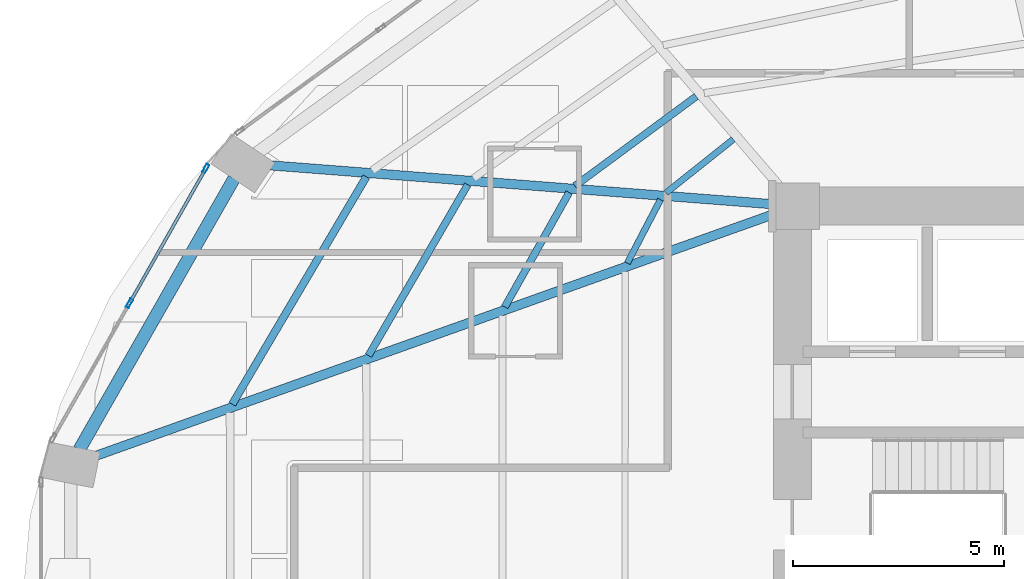
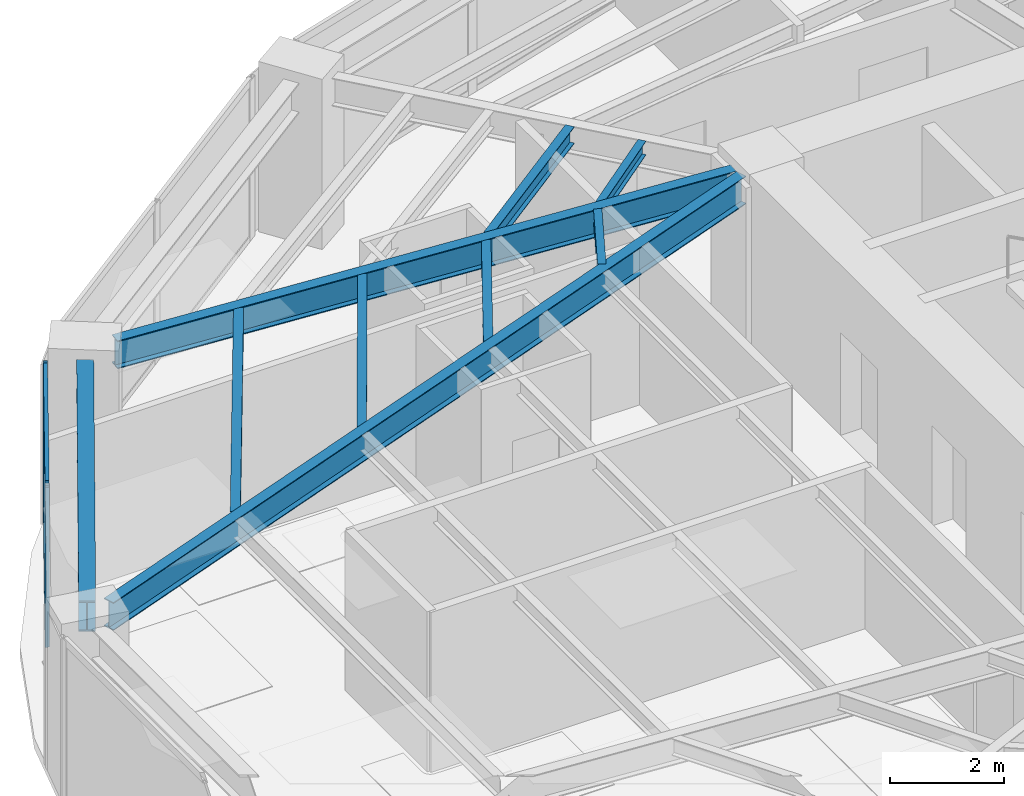
# One storey, part 9 of 25: 9 beams, 4 members, 1 element without a shape of its own.
"""IFC4 building model written with IfcOpenShell, lengths in metres."""

from ifc_helpers import new_model, si_unit, direction, frame, origin, origin_2d, place, context, subcontext, project, spatial, hollow_rectangle, i_section, extrude, material, layer, layer_set, material_profile, profile_set, type_object, element, aggregate, save


model = new_model("IFC4")

# Units and contexts
model_context = context("Model", 3, precision=1e-05, world=origin(), true_north=direction((0.0, 1.0)))
body_context = subcontext(model_context, "Body", "Model", "MODEL_VIEW")
ifc_project = project(units=[si_unit("LENGTHUNIT", "METRE"), si_unit("AREAUNIT", "SQUARE_METRE"), si_unit("VOLUMEUNIT", "CUBIC_METRE"), si_unit("PLANEANGLEUNIT", "RADIAN"), si_unit("MASSUNIT", "GRAM", prefix="KILO")], contexts=[model_context])

# Site, building, storey
site_placement = place(None, origin())
site = spatial("IfcSite", under=ifc_project, at=site_placement, CompositionType="ELEMENT")
building_placement = place(site_placement, origin())
building = spatial("IfcBuilding", under=site, at=building_placement, Name="Lazwardi Medical Tower", CompositionType="ELEMENT")
storey_placement = place(building_placement, frame((0.0, 0.0, 47.087890625)))
storey = spatial("IfcBuildingStorey", under=building, at=storey_placement, Name="L11", CompositionType="ELEMENT", Elevation=47.087890625)

# Beams
ifc_material_1 = material(Name="Steel S355", Category="steel")
ifc_material_profile_1 = material_profile(ifc_material_1, i_section(OverallWidth=0.300048828125, OverallDepth=0.64990234375, WebThickness=0.01611328125, FlangeThickness=0.031005859375, at=origin_2d()), Name="HEB 650")
ifc_profile_set_1 = profile_set([ifc_material_profile_1], Name="Steel S355")
beam_type_1 = type_object("IfcBeamType", Name="BM-RB-Z1", PredefinedType="BEAM", material=ifc_profile_set_1)
beam_1_placement = place(storey_placement, frame((13.072021484375, 36.24951171875, 3.10302734375), z_axis=(-0.495829348644, -0.868419977328, 0.0), x_axis=(0.868419977328, -0.495829348644, 0.0)))
element("IfcBeam", 1, at=beam_1_placement, inside=storey, type_object=beam_type_1, Name="Ring beam RB-02 B11 L11", PredefinedType="BEAM", context=body_context, shape_type="SweptSolid", body=[
    extrude(i_section(OverallWidth=0.300048828125, OverallDepth=0.64990234375, WebThickness=0.01611328125, FlangeThickness=0.031005859375, at=origin_2d()), origin(), (0.0, 0.0, 1.0), 7.38916015625),
])
ifc_material_profile_2 = material_profile(ifc_material_1, i_section(OverallWidth=0.219970703125, OverallDepth=0.60009765625, WebThickness=0.011962890625, FlangeThickness=0.01904296875, at=origin_2d()), Name="IPE 600")
ifc_profile_set_2 = profile_set([ifc_material_profile_2], Name="Steel S355")
beam_type_2 = type_object("IfcBeamType", Name="BM-RG-W1", PredefinedType="BEAM", material=ifc_profile_set_2)
beam_2_placement = place(storey_placement, frame((13.8583984375, 36.569580078125, 3.128173828125), z_axis=(0.997024241118, -0.077088667283, 0.0), x_axis=(0.077088667283, 0.997024241118, 0.0)))
element("IfcBeam", 2, at=beam_2_placement, inside=storey, type_object=beam_type_2, Name="Radial girder RG-02 R11 L11", PredefinedType="BEAM", context=body_context, shape_type="SweptSolid", body=[
    extrude(i_section(OverallWidth=0.219970703125, OverallDepth=0.60009765625, WebThickness=0.011962890625, FlangeThickness=0.01904296875, at=origin_2d()), origin(), (0.0, 0.0, 1.0), 12.044189453125),
])
beam_3_placement = place(storey_placement, frame((9.746337890625, 29.66259765625, 3.128173828125), z_axis=(0.941925080425, 0.335823082688, 0.0), x_axis=(-0.335823082688, 0.941925080425, 0.0)))
element("IfcBeam", 3, at=beam_3_placement, inside=storey, type_object=beam_type_2, Name="Radial girder RG-02 R12 L11", PredefinedType="BEAM", context=body_context, shape_type="SweptSolid", body=[
    extrude(i_section(OverallWidth=0.219970703125, OverallDepth=0.60009765625, WebThickness=0.011962890625, FlangeThickness=0.01904296875, at=origin_2d()), origin(), (0.0, 0.0, 1.0), 17.145263671875),
])
ifc_material_profile_3 = material_profile(ifc_material_1, i_section(OverallWidth=0.179931640625, OverallDepth=0.39990234375, WebThickness=0.008544921875, FlangeThickness=0.013427734375, at=origin_2d()), Name="IPE 400")
ifc_profile_set_3 = profile_set([ifc_material_profile_3], Name="Steel S355")
beam_type_3 = type_object("IfcBeamType", Name="BM-SJ-01", PredefinedType="JOIST", material=ifc_profile_set_3)
beam_4_placement = place(storey_placement, frame((16.206787109375, 36.29345703125, 3.22802734375), z_axis=(-0.507886270937, -0.861424132349, 0.0), x_axis=(0.861424132349, -0.507886270937, 0.0)))
element("IfcBeam", 4, at=beam_4_placement, inside=storey, type_object=beam_type_3, Name="Secondary joist SJ-01 R1 B11 L11", PredefinedType="JOIST", context=body_context, shape_type="SweptSolid", body=[
    extrude(i_section(OverallWidth=0.179931640625, OverallDepth=0.39990234375, WebThickness=0.008544921875, FlangeThickness=0.013427734375, at=origin_2d()), origin(), (0.0, 0.0, 1.0), 6.255859375),
])
ifc_material_profile_4 = material_profile(ifc_material_1, i_section(OverallWidth=0.169921875, OverallDepth=0.360107421875, WebThickness=0.008056640625, FlangeThickness=0.0126953125, at=origin_2d()), Name="IPE 360")
ifc_profile_set_4 = profile_set([ifc_material_profile_4], Name="Steel S355")
beam_type_4 = type_object("IfcBeamType", Name="BM-SJ-02", PredefinedType="JOIST", material=ifc_profile_set_4)
beam_5_placement = place(storey_placement, frame((18.60888671875, 36.107421875, 3.248046875), z_axis=(-0.501798442848, -0.86498457949, 0.0), x_axis=(0.86498457949, -0.501798442848, 0.0)))
element("IfcBeam", 5, at=beam_5_placement, inside=storey, type_object=beam_type_4, Name="Secondary joist SJ-02 R2 B11 L11", PredefinedType="JOIST", context=body_context, shape_type="SweptSolid", body=[
    extrude(i_section(OverallWidth=0.169921875, OverallDepth=0.360107421875, WebThickness=0.008056640625, FlangeThickness=0.0126953125, at=origin_2d()), origin(), (0.0, 0.0, 1.0), 4.683349609375),
])
beam_6_placement = place(storey_placement, frame((24.025146484375, 38.19873046875, 3.248046875), z_axis=(-0.804580292353, -0.593843879448, 0.0), x_axis=(0.593843879448, -0.804580292353, 0.0)))
element("IfcBeam", 6, at=beam_6_placement, inside=storey, type_object=beam_type_4, Name="Secondary joist SJ-02 R3 B10 L11", PredefinedType="JOIST", context=body_context, shape_type="SweptSolid", body=[
    extrude(i_section(OverallWidth=0.169921875, OverallDepth=0.360107421875, WebThickness=0.008056640625, FlangeThickness=0.0126953125, at=origin_2d()), origin(), (0.0, 0.0, 1.0), 3.576416015625),
])
beam_7_placement = place(storey_placement, frame((21.011962890625, 35.9208984375, 3.248046875), z_axis=(-0.489974339037, -0.87173685656, 0.0), x_axis=(0.87173685656, -0.489974339037, 0.0)))
element("IfcBeam", 7, at=beam_7_placement, inside=storey, type_object=beam_type_4, Name="Secondary joist SJ-02 R3 B11 L11", PredefinedType="JOIST", context=body_context, shape_type="SweptSolid", body=[
    extrude(i_section(OverallWidth=0.169921875, OverallDepth=0.360107421875, WebThickness=0.008056640625, FlangeThickness=0.0126953125, at=origin_2d()), origin(), (0.0, 0.0, 1.0), 3.111328125),
])
ifc_material_profile_5 = material_profile(ifc_material_1, i_section(OverallWidth=0.14990234375, OverallDepth=0.300048828125, WebThickness=0.007080078125, FlangeThickness=0.0107421875, at=origin_2d()), Name="IPE 300")
ifc_profile_set_5 = profile_set([ifc_material_profile_5], Name="Steel S355")
beam_type_5 = type_object("IfcBeamType", Name="BM-SJ-03", PredefinedType="JOIST", material=ifc_profile_set_5)
beam_8_placement = place(storey_placement, frame((24.901123046875, 37.1806640625, 3.278076171875), z_axis=(-0.782210957226, -0.623013658274, 0.0), x_axis=(0.623013658274, -0.782210957226, 0.0)))
element("IfcBeam", 8, at=beam_8_placement, inside=storey, type_object=beam_type_5, Name="Secondary joist SJ-03 R4 B10 L11", PredefinedType="JOIST", context=body_context, shape_type="SweptSolid", body=[
    extrude(i_section(OverallWidth=0.14990234375, OverallDepth=0.300048828125, WebThickness=0.007080078125, FlangeThickness=0.0107421875, at=origin_2d()), origin(), (0.0, 0.0, 1.0), 2.0380859375),
])
beam_9_placement = place(storey_placement, frame((23.17626953125, 35.752197265625, 3.278076171875), z_axis=(-0.462162985948, -0.88679500135, 0.0), x_axis=(0.88679500135, -0.462162985948, 0.0)))
element("IfcBeam", 9, at=beam_9_placement, inside=storey, type_object=beam_type_5, Name="Secondary joist SJ-03 R4 B11 L11", PredefinedType="JOIST", context=body_context, shape_type="SweptSolid", body=[
    extrude(i_section(OverallWidth=0.14990234375, OverallDepth=0.300048828125, WebThickness=0.007080078125, FlangeThickness=0.0107421875, at=origin_2d()), origin(), (0.0, 0.0, 1.0), 1.69775390625),
])

# Curtain wall, members
ifc_material_2 = material(Name="Anodised bronze aluminium and solar control glazing", Category="aluminium")
ifc_layer = layer(ifc_material_2, 0.199951171875)
ifc_layer_set = layer_set([ifc_layer], Name="Anodised bronze aluminium and solar control glazing")
curtain_wall_type = type_object("IfcCurtainWallType", Name="CW-SYS-02", PredefinedType="NOTDEFINED", material=ifc_layer_set)
curtain_wall_placement = place(storey_placement, origin())
curtain_wall = element("IfcCurtainWall", 10, at=curtain_wall_placement, inside=storey, type_object=curtain_wall_type, Name="L11 Unitised bronze curtain wall CW-02", PredefinedType="NOTDEFINED")
ifc_material_3 = material(Name="Anodised bronze aluminium", Category="aluminium")
ifc_material_profile_6 = material_profile(ifc_material_3, hollow_rectangle(XDim=0.074951171875, YDim=0.219970703125, WallThickness=0.00390625, at=origin_2d()), Name="ALU-MULLION 220x75x4")
ifc_profile_set_6 = profile_set([ifc_material_profile_6], Name="Anodised bronze aluminium")
member_type_1 = type_object("IfcMemberType", Name="CW-MUL-01", PredefinedType="MULLION", material=ifc_profile_set_6)
member_1_placement = place(storey_placement, frame((12.4033203125, 36.488525390625, 0.0), z_axis=(0.0, 0.0, 1.0), x_axis=(0.870111838823, -0.492854327303, 0.0)))
member_1 = element("IfcMember", 11, at=member_1_placement, type_object=member_type_1, Name="CW-02 mullion 1", PredefinedType="MULLION", context=body_context, shape_type="SweptSolid", body=[
    extrude(hollow_rectangle(XDim=0.074951171875, YDim=0.219970703125, WallThickness=0.00390625, at=origin_2d()), origin(), (0.0, 0.0, 1.0), 3.42822265625),
])
member_2_placement = place(storey_placement, frame((10.5947265625, 33.29541015625, 0.0), z_axis=(0.0, 0.0, 1.0), x_axis=(0.870111838823, -0.492854327303, 0.0)))
member_2 = element("IfcMember", 12, at=member_2_placement, type_object=member_type_1, Name="CW-02 mullion 2", PredefinedType="MULLION", context=body_context, shape_type="SweptSolid", body=[
    extrude(hollow_rectangle(XDim=0.074951171875, YDim=0.219970703125, WallThickness=0.00390625, at=origin_2d()), origin(), (0.0, 0.0, 1.0), 3.42822265625),
])
ifc_material_profile_7 = material_profile(ifc_material_3, hollow_rectangle(XDim=0.074951171875, YDim=0.159912109375, WallThickness=0.00390625, at=origin_2d()), Name="ALU-TRANSOM 160x75x4")
ifc_profile_set_7 = profile_set([ifc_material_profile_7], Name="Anodised bronze aluminium")
member_type_2 = type_object("IfcMemberType", Name="CW-TRN-01", PredefinedType="USERDEFINED", material=ifc_profile_set_7)
member_3_placement = place(storey_placement, frame((12.384765625, 36.4560546875, 0.03759765625), z_axis=(-0.49285148925, -0.870113446365, 0.0), x_axis=(0.870113446365, -0.49285148925, 0.0)))
member_3 = element("IfcMember", 13, at=member_3_placement, type_object=member_type_2, Name="CW-02 transom 1.1", ObjectType="TRANSOM", PredefinedType="USERDEFINED", context=body_context, shape_type="SweptSolid", body=[
    extrude(hollow_rectangle(XDim=0.074951171875, YDim=0.159912109375, WallThickness=0.00390625, at=origin_2d()), origin(), (0.0, 0.0, 1.0), 3.594970703125),
])
member_4_placement = place(storey_placement, frame((12.384765625, 36.4560546875, 3.390625), z_axis=(-0.49285148925, -0.870113446365, 0.0), x_axis=(0.870113446365, -0.49285148925, 0.0)))
member_4 = element("IfcMember", 14, at=member_4_placement, type_object=member_type_2, Name="CW-02 transom 1.2", ObjectType="TRANSOM", PredefinedType="USERDEFINED", context=body_context, shape_type="SweptSolid", body=[
    extrude(hollow_rectangle(XDim=0.074951171875, YDim=0.159912109375, WallThickness=0.00390625, at=origin_2d()), origin(), (0.0, 0.0, 1.0), 3.594970703125),
])
aggregate(curtain_wall, [member_1, member_2, member_3, member_4])

save(model, "model.ifc")
